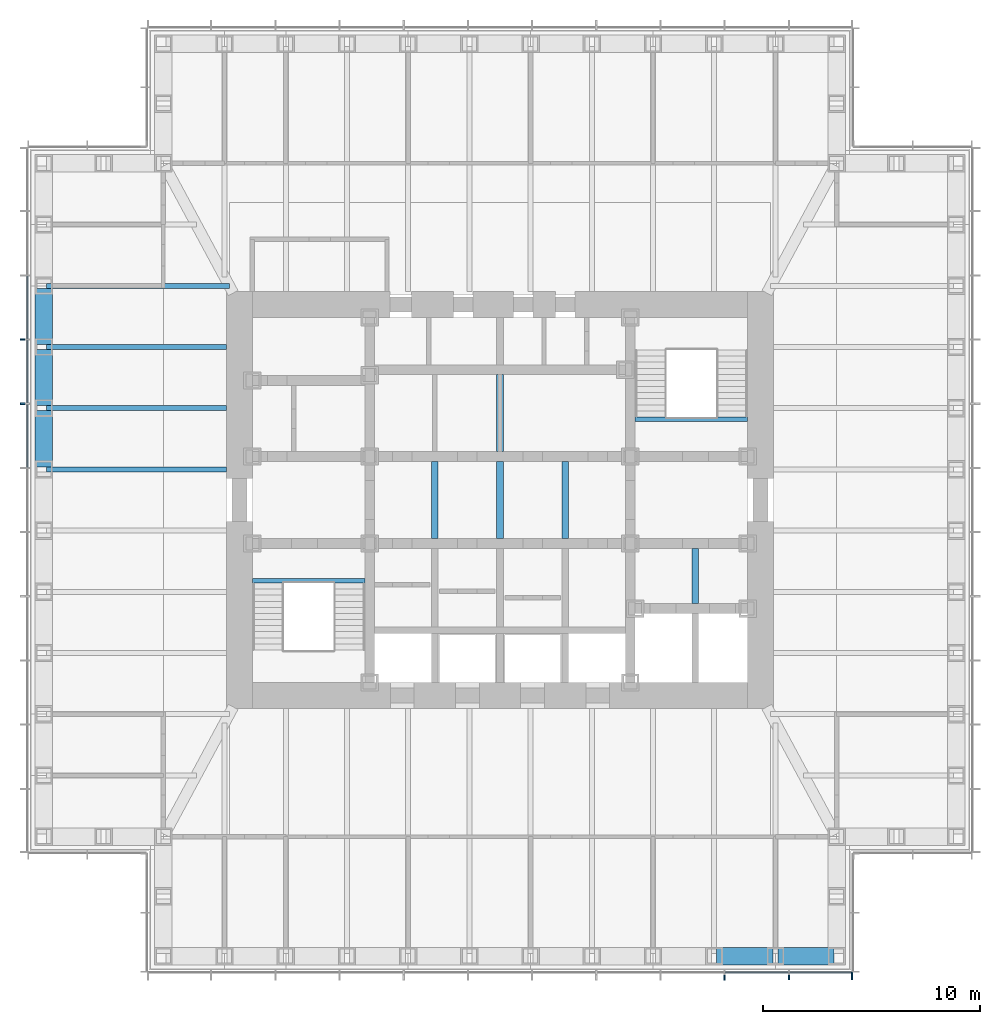
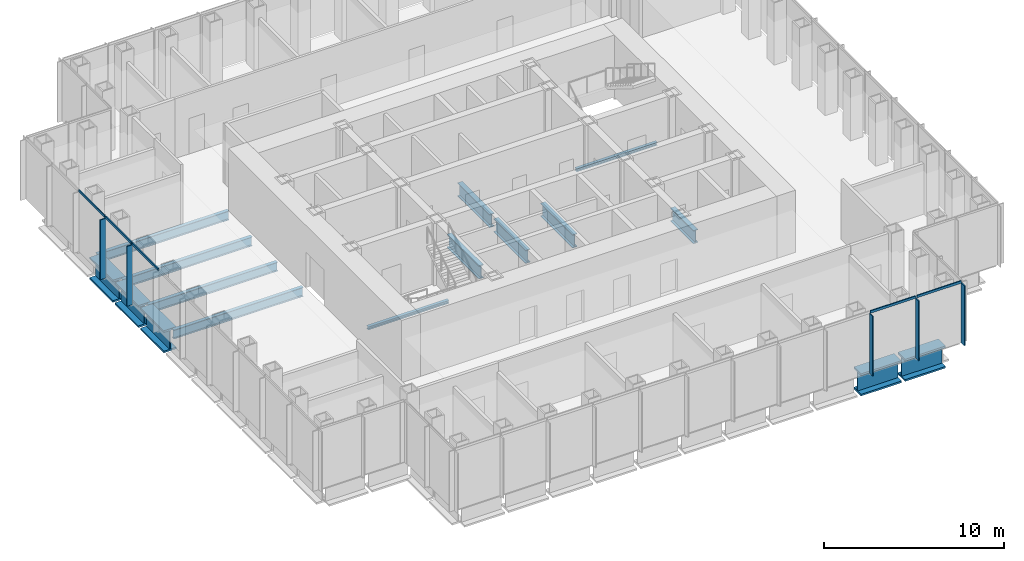
# One storey, part 3 of 17: 16 beams, 10 members, 2 elements without a shape of their own.
"""IFC4 building model written with IfcOpenShell, lengths in metres."""

from ifc_helpers import new_model, si_unit, direction, frame, origin, origin_2d, place, context, subcontext, project, spatial, rectangle, i_section, extrude, material, material_profile, profile_set, type_object, element, aggregate, save


model = new_model("IFC4")

# Units and contexts
model_context = context("Model", 3, precision=1e-05, world=origin(), true_north=direction((0.0, 1.0)))
body_context = subcontext(model_context, "Body", "Model", "MODEL_VIEW")
ifc_project = project(units=[si_unit("LENGTHUNIT", "METRE"), si_unit("AREAUNIT", "SQUARE_METRE"), si_unit("VOLUMEUNIT", "CUBIC_METRE"), si_unit("PLANEANGLEUNIT", "RADIAN"), si_unit("MASSUNIT", "GRAM", prefix="KILO")], contexts=[model_context])

# Site, building, storey
site_placement = place(None, origin())
site = spatial("IfcSite", under=ifc_project, at=site_placement, CompositionType="ELEMENT")
building_placement = place(site_placement, origin())
building = spatial("IfcBuilding", under=site, at=building_placement, Name="Daluyong Arena Tower", CompositionType="ELEMENT")
storey_placement = place(building_placement, frame((0.0, 0.0, 223.300048828125)))
storey = spatial("IfcBuildingStorey", under=building, at=storey_placement, Name="L50", CompositionType="ELEMENT", Elevation=223.300048828125)

# Curtain wall, members
ifc_material_1 = material(Name="Bronze anodised aluminium and glass", Category="aluminium")
curtain_wall_type = type_object("IfcCurtainWallType", Name="Curtain wall CW3", PredefinedType="USERDEFINED", material=ifc_material_1)
curtain_wall_1_placement = place(storey_placement, origin())
curtain_wall_1 = element("IfcCurtainWall", 1, at=curtain_wall_1_placement, inside=storey, type_object=curtain_wall_type, Name="curtain wall L50 S", ObjectType="UNITISED CURTAIN WALL", PredefinedType="USERDEFINED")
ifc_material_2 = material(Name="Bronze anodised aluminium fin", Category="aluminium")
ifc_material_profile_1 = material_profile(ifc_material_2, rectangle(XDim=0.35009765625, YDim=0.070068359375, at=origin_2d()))
ifc_profile_set_1 = profile_set([ifc_material_profile_1], Name="Bronze anodised aluminium fin")
member_type_1 = type_object("IfcMemberType", Name="CW3 bronze fin 350x70", PredefinedType="MULLION", material=ifc_profile_set_1)
member_1_placement = place(storey_placement, frame((66.3408203125, 58.074951171875, 0.0), z_axis=(0.0, 0.0, 1.0), x_axis=(0.0, 1.0, 0.0)))
member_1 = element("IfcMember", 2, at=member_1_placement, type_object=member_type_1, Name="curtain wall L50 S fin 10", PredefinedType="MULLION", context=body_context, shape_type="SweptSolid", body=[
    extrude(rectangle(XDim=0.35009765625, YDim=0.070068359375, at=origin_2d()), origin(), (0.0, 0.0, 1.0), 4.0400390625),
])
member_2_placement = place(storey_placement, frame((69.29541015625, 58.074951171875, 0.0), z_axis=(0.0, 0.0, 1.0), x_axis=(0.0, 1.0, 0.0)))
member_2 = element("IfcMember", 3, at=member_2_placement, type_object=member_type_1, Name="curtain wall L50 S fin 11", PredefinedType="MULLION", context=body_context, shape_type="SweptSolid", body=[
    extrude(rectangle(XDim=0.35009765625, YDim=0.070068359375, at=origin_2d()), origin(), (0.0, 0.0, 1.0), 4.0400390625),
])
member_3_placement = place(storey_placement, frame((72.215087890625, 58.074951171875, 0.0), z_axis=(0.0, 0.0, 1.0), x_axis=(0.0, 1.0, 0.0)))
member_3 = element("IfcMember", 4, at=member_3_placement, type_object=member_type_1, Name="curtain wall L50 S fin 12", PredefinedType="MULLION", context=body_context, shape_type="SweptSolid", body=[
    extrude(rectangle(XDim=0.35009765625, YDim=0.070068359375, at=origin_2d()), origin(), (0.0, 0.0, 1.0), 4.0400390625),
])

curtain_wall_2_placement = place(storey_placement, origin())
curtain_wall_2 = element("IfcCurtainWall", 5, at=curtain_wall_2_placement, inside=storey, type_object=curtain_wall_type, Name="curtain wall L50 W", ObjectType="UNITISED CURTAIN WALL", PredefinedType="USERDEFINED")
member_4_placement = place(storey_placement, frame((34.074951171875, 87.386474609375, 0.0), z_axis=(0.0, 0.0, 1.0), x_axis=(1.0, 0.0, 0.0)))
member_4 = element("IfcMember", 6, at=member_4_placement, type_object=member_type_1, Name="curtain wall L50 W fin 4", PredefinedType="MULLION", context=body_context, shape_type="SweptSolid", body=[
    extrude(rectangle(XDim=0.35009765625, YDim=0.070068359375, at=origin_2d()), origin(), (0.0, 0.0, 1.0), 4.0400390625),
])
member_5_placement = place(storey_placement, frame((34.074951171875, 84.431884765625, 0.0), z_axis=(0.0, 0.0, 1.0), x_axis=(1.0, 0.0, 0.0)))
member_5 = element("IfcMember", 7, at=member_5_placement, type_object=member_type_1, Name="curtain wall L50 W fin 5", PredefinedType="MULLION", context=body_context, shape_type="SweptSolid", body=[
    extrude(rectangle(XDim=0.35009765625, YDim=0.070068359375, at=origin_2d()), origin(), (0.0, 0.0, 1.0), 4.0400390625),
])

# Member
ifc_material_3 = material(Name="Bronze anodised aluminium", Category="aluminium")
ifc_material_profile_2 = material_profile(ifc_material_3, rectangle(XDim=0.070068359375, YDim=0.159912109375, at=origin_2d()))
ifc_profile_set_2 = profile_set([ifc_material_profile_2], Name="Bronze anodised aluminium")
member_type_2 = type_object("IfcMemberType", Name="CW3 stack transom 160x70", PredefinedType="USERDEFINED", material=ifc_profile_set_2)
member_6_placement = place(storey_placement, frame((66.3759765625, 58.25, 4.119873046875), z_axis=(1.0, 0.0, 0.0), x_axis=(0.0, 1.0, 0.0)))
member_6 = element("IfcMember", 8, at=member_6_placement, type_object=member_type_2, Name="curtain wall L50 S transom 10", ObjectType="TRANSOM", PredefinedType="USERDEFINED", context=body_context, shape_type="SweptSolid", body=[
    extrude(rectangle(XDim=0.070068359375, YDim=0.159912109375, at=origin_2d()), origin(), (0.0, 0.0, 1.0), 2.884521484375),
])

member_7_placement = place(storey_placement, frame((69.33056640625, 58.25, 4.119873046875), z_axis=(1.0, 0.0, 0.0), x_axis=(0.0, 1.0, 0.0)))
member_7 = element("IfcMember", 9, at=member_7_placement, type_object=member_type_2, Name="curtain wall L50 S transom 11", ObjectType="TRANSOM", PredefinedType="USERDEFINED", context=body_context, shape_type="SweptSolid", body=[
    extrude(rectangle(XDim=0.070068359375, YDim=0.159912109375, at=origin_2d()), origin(), (0.0, 0.0, 1.0), 2.849365234375),
])

aggregate(curtain_wall_1, [member_1, member_2, member_3, member_6, member_7])

member_8_placement = place(storey_placement, frame((34.25, 90.305908203125, 4.119873046875), z_axis=(0.0, -1.0, 0.0), x_axis=(1.0, 0.0, 0.0)))
member_8 = element("IfcMember", 10, at=member_8_placement, type_object=member_type_2, Name="curtain wall L50 W transom 3", ObjectType="TRANSOM", PredefinedType="USERDEFINED", context=body_context, shape_type="SweptSolid", body=[
    extrude(rectangle(XDim=0.070068359375, YDim=0.159912109375, at=origin_2d()), origin(), (0.0, 0.0, 1.0), 2.884521484375),
])

member_9_placement = place(storey_placement, frame((34.25, 87.351318359375, 4.119873046875), z_axis=(0.0, -1.0, 0.0), x_axis=(1.0, 0.0, 0.0)))
member_9 = element("IfcMember", 11, at=member_9_placement, type_object=member_type_2, Name="curtain wall L50 W transom 4", ObjectType="TRANSOM", PredefinedType="USERDEFINED", context=body_context, shape_type="SweptSolid", body=[
    extrude(rectangle(XDim=0.070068359375, YDim=0.159912109375, at=origin_2d()), origin(), (0.0, 0.0, 1.0), 2.884521484375),
])

member_10_placement = place(storey_placement, frame((34.25, 84.396728515625, 4.119873046875), z_axis=(0.0, -1.0, 0.0), x_axis=(1.0, 0.0, 0.0)))
member_10 = element("IfcMember", 12, at=member_10_placement, type_object=member_type_2, Name="curtain wall L50 W transom 5", ObjectType="TRANSOM", PredefinedType="USERDEFINED", context=body_context, shape_type="SweptSolid", body=[
    extrude(rectangle(XDim=0.070068359375, YDim=0.159912109375, at=origin_2d()), origin(), (0.0, 0.0, 1.0), 2.884521484375),
])

aggregate(curtain_wall_2, [member_4, member_5, member_8, member_9, member_10])

# Beams
ifc_material_4 = material(Name="Steel ASTM A992 Grade 50", Category="steel")
ifc_material_profile_3 = material_profile(ifc_material_4, i_section(OverallWidth=0.22900390625, OverallDepth=0.612060546875, WebThickness=0.011962890625, FlangeThickness=0.01953125, at=origin_2d()))
ifc_profile_set_3 = profile_set([ifc_material_profile_3], Name="Steel ASTM A992 Grade 50")
beam_type_1 = type_object("IfcBeamType", Name="Floor beam W24X84", PredefinedType="BEAM", material=ifc_profile_set_3)
beam_1_placement = place(storey_placement, frame((35.114990234375, 89.863525390625, -0.466064453125), z_axis=(1.0, 0.0, 0.0), x_axis=(0.0, 1.0, 0.0)))
element("IfcBeam", 13, at=beam_1_placement, inside=storey, type_object=beam_type_1, Name="floor beam FB3", PredefinedType="BEAM", context=body_context, shape_type="SweptSolid", body=[
    extrude(i_section(OverallWidth=0.22900390625, OverallDepth=0.612060546875, WebThickness=0.011962890625, FlangeThickness=0.01953125, at=origin_2d()), origin(), (0.0, 0.0, 1.0), 8.419921875),
])
for number, where, z_axis, x_axis, name in (
    (14, (35.114990234375, 87.04541015625, -0.466064453125), (1.0, 0.0, 0.0), (0.0, 1.0, 0.0), "floor beam FB3"),
    (15, (35.114990234375, 84.227294921875, -0.466064453125), (1.0, 0.0, 0.0), (0.0, 1.0, 0.0), "floor beam FB3"),
    (16, (35.114990234375, 81.4091796875, -0.466064453125), (1.0, 0.0, 0.0), (0.0, 1.0, 0.0), "floor beam FB3"),
):
    element("IfcBeam", number, at=place(storey_placement, frame(where, z_axis=z_axis, x_axis=x_axis)), inside=storey, type_object=beam_type_1, Name=name, PredefinedType="BEAM", context=body_context, shape_type="SweptSolid", body=[
        extrude(i_section(OverallWidth=0.22900390625, OverallDepth=0.612060546875, WebThickness=0.011962890625, FlangeThickness=0.01953125, at=origin_2d()), origin(), (0.0, 0.0, 1.0), 8.284912109375),
    ])
ifc_material_5 = material(Name="Steel ASTM A572 Grade 50", Category="steel")
ifc_material_profile_4 = material_profile(ifc_material_5, i_section(OverallWidth=0.300048828125, OverallDepth=0.89990234375, WebThickness=0.025, FlangeThickness=0.04, at=origin_2d()))
ifc_profile_set_4 = profile_set([ifc_material_profile_4], Name="Steel ASTM A572 Grade 50")
beam_type_2 = type_object("IfcBeamType", Name="Lift divider beam PG900X300", PredefinedType="BEAM", material=ifc_profile_set_4)
for number, where, z_axis, x_axis, name in (
    (17, (53.0, 78.22509765625, -0.610107421875), (0.0, 1.0, 0.0), (-1.0, 0.0, 0.0), "lift divider beam DB1"),
    (18, (56.0, 78.22509765625, -0.610107421875), (0.0, 1.0, 0.0), (-1.0, 0.0, 0.0), "lift divider beam DB1"),
    (19, (56.0, 82.22509765625, -0.610107421875), (0.0, 1.0, 0.0), (-1.0, 0.0, 0.0), "lift divider beam DB1"),
    (20, (59.0, 78.22509765625, -0.610107421875), (0.0, 1.0, 0.0), (-1.0, 0.0, 0.0), "lift divider beam DB1"),
):
    element("IfcBeam", number, at=place(storey_placement, frame(where, z_axis=z_axis, x_axis=x_axis)), inside=storey, type_object=beam_type_2, Name=name, PredefinedType="BEAM", context=body_context, shape_type="SweptSolid", body=[
        extrude(i_section(OverallWidth=0.300048828125, OverallDepth=0.89990234375, WebThickness=0.025, FlangeThickness=0.04, at=origin_2d()), origin(), (0.0, 0.0, 1.0), 3.5498046875),
    ])
beam_2_placement = place(storey_placement, frame((65.0, 75.22509765625, -0.610107421875), z_axis=(0.0, 1.0, 0.0), x_axis=(-1.0, 0.0, 0.0)))
element("IfcBeam", 21, at=beam_2_placement, inside=storey, type_object=beam_type_2, Name="lift divider beam DB1", PredefinedType="BEAM", context=body_context, shape_type="SweptSolid", body=[
    extrude(i_section(OverallWidth=0.300048828125, OverallDepth=0.89990234375, WebThickness=0.025, FlangeThickness=0.04, at=origin_2d()), origin(), (0.0, 0.0, 1.0), 2.5498046875),
])
ifc_material_6 = material(Name="Steel ASTM A588 Grade 50", Category="steel")
ifc_material_profile_5 = material_profile(ifc_material_6, i_section(OverallWidth=0.800048828125, OverallDepth=1.5, WebThickness=0.05, FlangeThickness=0.12, at=origin_2d()))
ifc_profile_set_5 = profile_set([ifc_material_profile_5], Name="Steel ASTM A588 Grade 50")
beam_type_3 = type_object("IfcBeamType", Name="Spandrel Z3 PG1500X800", PredefinedType="SPANDREL", material=ifc_profile_set_5)
beam_3_placement = place(storey_placement, frame((65.978515625, 59.0, -0.91015625), z_axis=(1.0, 0.0, 0.0), x_axis=(0.0, 1.0, 0.0)))
element("IfcBeam", 22, at=beam_3_placement, inside=storey, type_object=beam_type_3, Name="spandrel z3 SB7", PredefinedType="SPANDREL", context=body_context, shape_type="SweptSolid", body=[
    extrude(i_section(OverallWidth=0.800048828125, OverallDepth=1.5, WebThickness=0.05, FlangeThickness=0.12, at=origin_2d()), origin(), (0.0, 0.0, 1.0), 2.58837890625),
])
for number, where, z_axis, x_axis, name in (
    (23, (68.796875, 59.0, -0.91015625), (1.0, 0.0, 0.0), (0.0, 1.0, 0.0), "spandrel z3 SB7"),
    (24, (35.0, 89.74853515625, -0.91015625), (0.0, -1.0, 0.0), (1.0, 0.0, 0.0), "spandrel z3 SB7"),
    (25, (35.0, 86.930419921875, -0.91015625), (0.0, -1.0, 0.0), (1.0, 0.0, 0.0), "spandrel z3 SB7"),
    (26, (35.0, 84.1123046875, -0.91015625), (0.0, -1.0, 0.0), (1.0, 0.0, 0.0), "spandrel z3 SB7"),
):
    element("IfcBeam", number, at=place(storey_placement, frame(where, z_axis=z_axis, x_axis=x_axis)), inside=storey, type_object=beam_type_3, Name=name, PredefinedType="SPANDREL", context=body_context, shape_type="SweptSolid", body=[
        extrude(i_section(OverallWidth=0.800048828125, OverallDepth=1.5, WebThickness=0.05, FlangeThickness=0.12, at=origin_2d()), origin(), (0.0, 0.0, 1.0), 2.588134765625),
    ])
ifc_material_7 = material(Name="Steel ASTM A992 Grade 50", Category="steel")
ifc_material_profile_6 = material_profile(ifc_material_7, i_section(OverallWidth=0.203125, OverallDepth=0.203125, WebThickness=0.00732421875, FlangeThickness=0.010986328125, at=origin_2d()))
ifc_profile_set_6 = profile_set([ifc_material_profile_6], Name="Steel ASTM A992 Grade 50")
beam_type_4 = type_object("IfcBeamType", Name="Stair landing beam W8X31", PredefinedType="BEAM", material=ifc_profile_set_6)
for number, where, z_axis, x_axis, name in (
    (27, (44.60009765625, 76.276611328125, -0.26171875), (1.0, 0.0, 0.0), (0.0, 1.0, 0.0), "exit stair A landing beam"),
    (28, (62.22509765625, 83.723388671875, -0.26171875), (1.0, 0.0, 0.0), (0.0, 1.0, 0.0), "exit stair B landing beam"),
):
    element("IfcBeam", number, at=place(storey_placement, frame(where, z_axis=z_axis, x_axis=x_axis)), inside=storey, type_object=beam_type_4, Name=name, PredefinedType="BEAM", context=body_context, shape_type="SweptSolid", body=[
        extrude(i_section(OverallWidth=0.203125, OverallDepth=0.203125, WebThickness=0.00732421875, FlangeThickness=0.010986328125, at=origin_2d()), origin(), (0.0, 0.0, 1.0), 5.1748046875),
    ])

save(model, "model.ifc")
